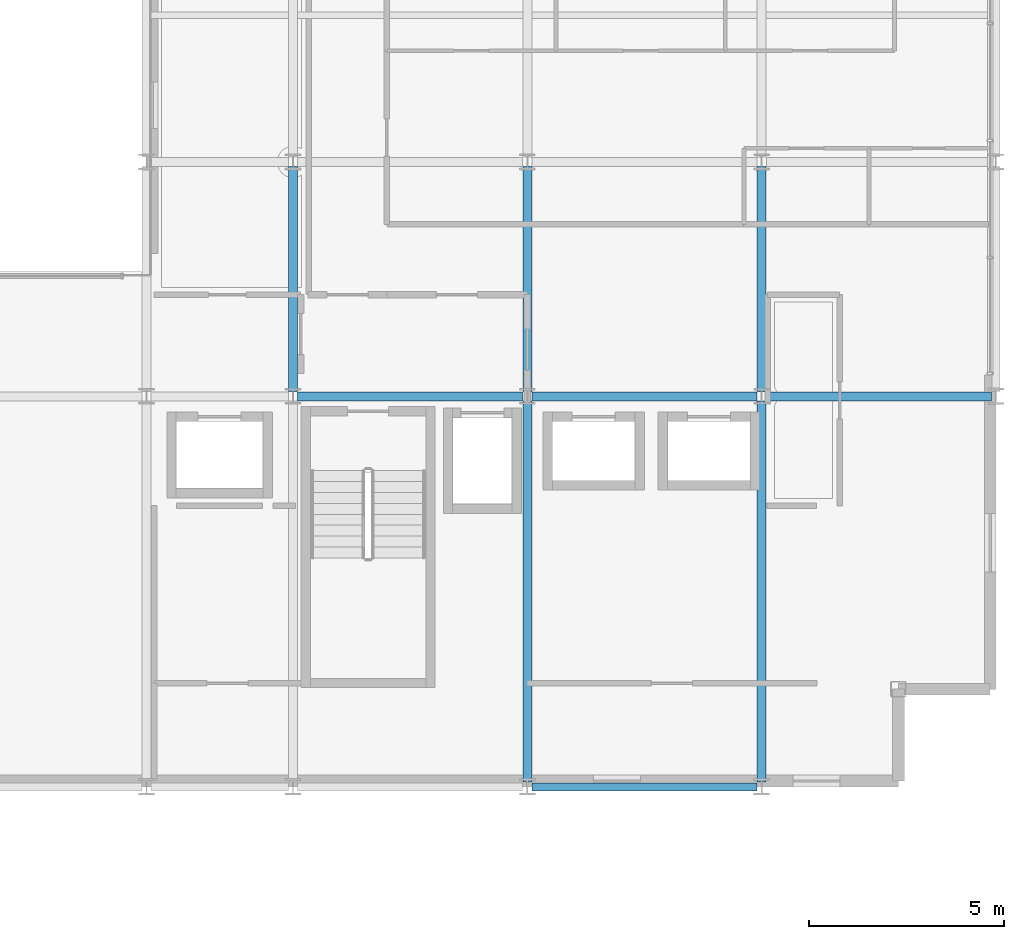
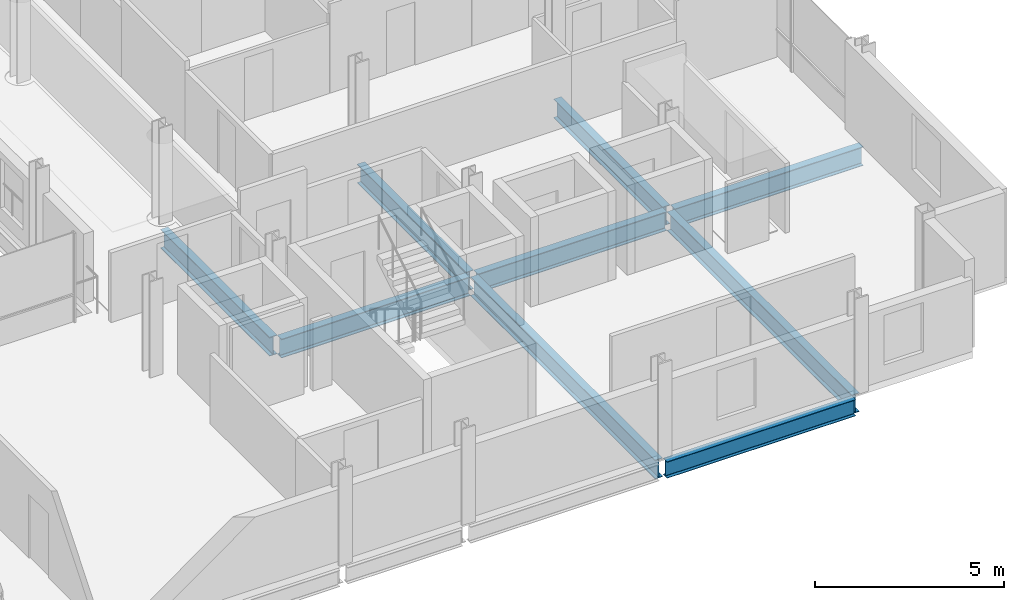
# One storey, part 16 of 41: 9 beams.
"""IFC4 building model written with IfcOpenShell, lengths in metres."""

import ifcopenshell
import ifcopenshell.guid

model = None  # the IFC model being written
_history = None  # IfcOwnerHistory: only IFC2X3 demands one
_inside = {}  # id of a spatial element -> (the spatial element, [elements in it])
_under = {}  # id of a project, library or spatial element -> (it, [spatial elements below it])
_declared = {}  # id of a project -> (the project, [libraries it declares])
_typed = {}  # id of a type object -> (the type object, [elements of that type])
_made_of = {}  # id of a material, layer set ... -> (it, [elements and type objects made of it])


def new_model(schema):
    """Start an empty IFC model of exactly this schema.

    Asked for "IFC4X3", IfcOpenShell would pick the latest addendum, in which some entities
    have other attributes; the version numbers below select the first issue.
    IFC2X3 requires an IfcOwnerHistory on every rooted entity: one is made here for all.
    """
    global model, _history
    if schema == "IFC4X3":
        model = ifcopenshell.file(schema_version=(4, 3, 0, 0))
    else:
        model = ifcopenshell.file(schema=schema)
    _inside.clear()
    _under.clear()
    _declared.clear()
    _typed.clear()
    _made_of.clear()
    _history = None
    if model.schema == "IFC2X3":
        org = make("IfcOrganization", Name="unknown")
        user = make(
            "IfcPersonAndOrganization",
            ThePerson=make("IfcPerson", FamilyName="unknown"),
            TheOrganization=org,
        )
        app = make(
            "IfcApplication",
            ApplicationDeveloper=org,
            Version="unknown",
            ApplicationFullName="unknown",
            ApplicationIdentifier="unknown",
        )
        _history = make(
            "IfcOwnerHistory",
            OwningUser=user,
            OwningApplication=app,
            ChangeAction="ADDED",
            CreationDate=0,
        )
    return model


def make(cls, **values):
    """One entity of the class cls with the attributes given. An attribute that is None is left unset."""
    return model.create_entity(
        cls, **{name: value for name, value in values.items() if value is not None}
    )


def rooted(cls, **values):
    """An entity with a GlobalId (a new one), such as an element, a storey or a relation."""
    return make(cls, GlobalId=ifcopenshell.guid.new(), OwnerHistory=_history, **values)


def si_unit(unit_type, name, prefix=None):
    """IfcSIUnit, for example si_unit("LENGTHUNIT", "METRE", prefix="MILLI")."""
    return make("IfcSIUnit", UnitType=unit_type, Prefix=prefix, Name=name)


def assignment(units):
    """IfcUnitAssignment: the units of a project."""
    return None if units is None else make("IfcUnitAssignment", Units=units)


def point(xyz):
    """IfcCartesianPoint."""
    return None if xyz is None else make("IfcCartesianPoint", Coordinates=xyz)


def direction(xyz):
    """IfcDirection."""
    return None if xyz is None else make("IfcDirection", DirectionRatios=xyz)


def frame(location, z_axis=None, x_axis=None):
    """IfcAxis2Placement3D, a coordinate frame: its origin and axes. An axis left out is left unset."""
    return make(
        "IfcAxis2Placement3D",
        Location=point(location),
        Axis=direction(z_axis),
        RefDirection=direction(x_axis),
    )


def frame_2d(location, x_axis=None):
    """IfcAxis2Placement2D, a coordinate frame in the plane: its origin and x axis."""
    return make(
        "IfcAxis2Placement2D", Location=point(location), RefDirection=direction(x_axis)
    )


def origin():
    """The frame at (0, 0, 0) with its axes left unset."""
    return frame((0.0, 0.0, 0.0))


def origin_2d():
    """The frame at (0, 0) in the plane with its x axis left unset."""
    return frame_2d((0.0, 0.0))


def place(relative_to, where):
    """IfcLocalPlacement: puts the frame where relative to a parent placement (None: the world)."""
    return make(
        "IfcLocalPlacement", PlacementRelTo=relative_to, RelativePlacement=where
    )


def context(
    kind, dimensions, precision=None, world=None, true_north=None, identifier=None
):
    """IfcGeometricRepresentationContext, for example the 3D "Model" context."""
    return make(
        "IfcGeometricRepresentationContext",
        ContextIdentifier=identifier,
        ContextType=kind,
        CoordinateSpaceDimension=dimensions,
        Precision=precision,
        WorldCoordinateSystem=world,
        TrueNorth=true_north,
    )


def subcontext(parent, identifier, kind, view, scale=None):
    """IfcGeometricRepresentationSubContext, for example "Body" below "Model"."""
    return make(
        "IfcGeometricRepresentationSubContext",
        ContextIdentifier=identifier,
        ContextType=kind,
        ParentContext=parent,
        TargetScale=scale,
        TargetView=view,
    )


def project(units=None, contexts=None):
    """IfcProject with its units and contexts."""
    return rooted(
        "IfcProject",
        Name="project",
        RepresentationContexts=contexts,
        UnitsInContext=assignment(units),
    )


def spatial(cls, under=None, at=None, **own):
    """A site, building, storey or space (cls), placed at a placement, below another one or the project."""
    s = rooted(cls, ObjectPlacement=at, **own)
    if under is not None:
        _under.setdefault(under.id(), (under, []))[1].append(s)
    return s


def profile(cls, at=None, kind="AREA", **sizes):
    """A parametric profile (cls). Its sizes go by their IFC names, for example OverallWidth=200.0."""
    return make(cls, ProfileType=kind, Position=at, **sizes)


def i_section(**sizes):
    """IfcIShapeProfileDef."""
    return profile("IfcIShapeProfileDef", **sizes)


def extrude(swept, where, along, depth):
    """IfcExtrudedAreaSolid: the profile swept, set in the frame where, extruded along a direction by depth."""
    return make(
        "IfcExtrudedAreaSolid",
        SweptArea=swept,
        Position=where,
        ExtrudedDirection=direction(along),
        Depth=depth,
    )


def shape(context_of_items, identifier, shape_type, items):
    """IfcShapeRepresentation: the items that make up one representation, for example the "Body"."""
    return make(
        "IfcShapeRepresentation",
        ContextOfItems=context_of_items,
        RepresentationIdentifier=identifier,
        RepresentationType=shape_type,
        Items=items,
    )


def material(Name=None, Category=None):
    """IfcMaterial."""
    return make("IfcMaterial", Name=Name, Category=Category)


def material_profile(
    of_material, cross_section, Name=None, Category=None, Priority=None
):
    """IfcMaterialProfile: a cross section and its material."""
    return make(
        "IfcMaterialProfile",
        Name=Name,
        Material=of_material,
        Profile=cross_section,
        Priority=Priority,
        Category=Category,
    )


def profile_set(profiles, Name=None, composite=None):
    """IfcMaterialProfileSet."""
    return make(
        "IfcMaterialProfileSet",
        Name=Name,
        MaterialProfiles=profiles,
        CompositeProfile=composite,
    )


def made_of(thing, what):
    """Note that an element or type object is made of a material, layer set ...; save() writes the relation."""
    if what is not None:
        _made_of.setdefault(what.id(), (what, []))[1].append(thing)
    return thing


def type_object(cls, material=None, **own):
    """A type object (cls), such as IfcWallType, which elements share."""
    return made_of(rooted(cls, **own), material)


def element(
    cls,
    number,
    at=None,
    inside=None,
    cuts=None,
    type_object=None,
    material=None,
    context=None,
    identifier="Body",
    shape_type=None,
    held_by="IfcProductDefinitionShape",
    body=None,
    shapes=None,
    **own,
):
    """One element of the class cls, such as IfcWall. Its Tag is "e" and its number.

    at: its placement. inside: the storey or other place that contains it. cuts: it is an
    opening in that element (IfcRelVoidsElement). A single representation is given by context,
    identifier, shape_type and body (its items); several are given by shapes. held_by: the class
    of the entity that holds the representations. save() writes the other relations.
    """
    e = rooted(cls, Tag="e%d" % number, ObjectPlacement=at, **own)
    if body is not None:
        shapes = [shape(context, identifier, shape_type, body)]
    if shapes is not None:
        e.Representation = make(held_by, Representations=shapes)
    if inside is not None:
        _inside.setdefault(inside.id(), (inside, []))[1].append(e)
    if cuts is not None:
        rooted(
            "IfcRelVoidsElement", RelatingBuildingElement=cuts, RelatedOpeningElement=e
        )
    if type_object is not None:
        _typed.setdefault(type_object.id(), (type_object, []))[1].append(e)
    return made_of(e, material)


def aggregate(whole, parts):
    """IfcRelAggregates: a whole, such as a stair, and the parts it consists of."""
    return rooted("IfcRelAggregates", RelatingObject=whole, RelatedObjects=parts)


def save(model, path):
    """Write the relations noted so far, then the file.

    IfcRelAggregates (storeys below a building ...), IfcRelContainedInSpatialStructure (elements
    in a storey), IfcRelDefinesByType, IfcRelAssociatesMaterial and IfcRelDeclares: one each for
    every whole, place, type object, material and project.
    """
    for whole, parts in _under.values():
        aggregate(whole, parts)
    for where, things in _inside.values():
        rooted(
            "IfcRelContainedInSpatialStructure",
            RelatedElements=things,
            RelatingStructure=where,
        )
    for kind, things in _typed.values():
        rooted("IfcRelDefinesByType", RelatedObjects=things, RelatingType=kind)
    for what, things in _made_of.values():
        rooted("IfcRelAssociatesMaterial", RelatedObjects=things, RelatingMaterial=what)
    for by, libraries in _declared.values():
        rooted("IfcRelDeclares", RelatingContext=by, RelatedDefinitions=libraries)
    model.write(path)


model = new_model("IFC4")

# Units and contexts
model_context = context("Model", 3, precision=1e-05, world=origin(), true_north=direction((0.0, 1.0)))
body_context = subcontext(model_context, "Body", "Model", "MODEL_VIEW")
ifc_project = project(units=[si_unit("LENGTHUNIT", "METRE"), si_unit("AREAUNIT", "SQUARE_METRE"), si_unit("VOLUMEUNIT", "CUBIC_METRE"), si_unit("PLANEANGLEUNIT", "RADIAN"), si_unit("MASSUNIT", "GRAM", prefix="KILO")], contexts=[model_context])

# Site, building, storey
site_placement = place(None, origin())
site = spatial("IfcSite", under=ifc_project, at=site_placement, CompositionType="ELEMENT")
building_placement = place(site_placement, origin())
building = spatial("IfcBuilding", under=site, at=building_placement, Name="Brevholm Reach", CompositionType="ELEMENT")
storey_placement = place(building_placement, frame((0.0, 0.0, 163.5)))
storey = spatial("IfcBuildingStorey", under=building, at=storey_placement, Name="L49", CompositionType="ELEMENT", Elevation=163.5)

# Beams
ifc_material_1 = material(Name="Structural Steel S355J2", Category="steel")
ifc_material_profile_1 = material_profile(ifc_material_1, i_section(OverallWidth=0.209228515625, OverallDepth=0.533203125, WebThickness=0.010009765625, FlangeThickness=0.015625, FilletRadius=0.0126953125, at=origin_2d()), Name="UKB 533x210x92")
ifc_profile_set_1 = profile_set([ifc_material_profile_1], Name="Structural Steel S355J2")
beam_type_1 = type_object("IfcBeamType", Name="BM-SP533", PredefinedType="SPANDREL", material=ifc_profile_set_1)
beam_1_placement = place(storey_placement, frame((48.1201171875, 0.0, -0.486572265625), z_axis=(1.0, 0.0, 0.0), x_axis=(0.0, 1.0, 0.0)))
element("IfcBeam", 1, at=beam_1_placement, inside=storey, type_object=beam_type_1, Name="L49 SP-02 Framing Beam", PredefinedType="SPANDREL", context=body_context, shape_type="SweptSolid", body=[
    extrude(i_section(OverallWidth=0.209228515625, OverallDepth=0.533203125, WebThickness=0.010009765625, FlangeThickness=0.015625, FilletRadius=0.0126953125, at=origin_2d()), origin(), (0.0, 0.0, 1.0), 5.759765625),
])
ifc_material_2 = material(Name="Structural Steel S355J2", Category="steel")
ifc_material_profile_2 = material_profile(ifc_material_2, i_section(OverallWidth=0.22900390625, OverallDepth=0.6123046875, WebThickness=0.011962890625, FlangeThickness=0.01953125, FilletRadius=0.0126953125, at=origin_2d()), Name="UKB 610x229x125")
ifc_profile_set_2 = profile_set([ifc_material_profile_2], Name="Structural Steel S355J2")
beam_type_2 = type_object("IfcBeamType", Name="BM-SP610", PredefinedType="SPANDREL", material=ifc_profile_set_2)
for number, where, z_axis, x_axis, name in (
    (2, (42.1201171875, 10.0, -0.526123046875), (1.0, 0.0, 0.0), (0.0, 1.0, 0.0), "L49 SP-01 Framing Beam"),
    (3, (48.1201171875, 10.0, -0.526123046875), (1.0, 0.0, 0.0), (0.0, 1.0, 0.0), "L49 SP-01 Framing Beam"),
    (4, (54.1201171875, 10.0, -0.526123046875), (1.0, 0.0, 0.0), (0.0, 1.0, 0.0), "L49 SP-01 Framing Beam"),
    (5, (42.0, 10.1201171875, -0.526123046875), (0.0, 1.0, 0.0), (-1.0, 0.0, 0.0), "L49 SP-01 Framing Beam"),
):
    element("IfcBeam", number, at=place(storey_placement, frame(where, z_axis=z_axis, x_axis=x_axis)), inside=storey, type_object=beam_type_2, Name=name, PredefinedType="SPANDREL", context=body_context, shape_type="SweptSolid", body=[
        extrude(i_section(OverallWidth=0.22900390625, OverallDepth=0.6123046875, WebThickness=0.011962890625, FlangeThickness=0.01953125, FilletRadius=0.0126953125, at=origin_2d()), origin(), (0.0, 0.0, 1.0), 5.759765625),
    ])
beam_2_placement = place(storey_placement, frame((48.0, 0.1201171875, -0.526123046875), z_axis=(0.0, 1.0, 0.0), x_axis=(-1.0, 0.0, 0.0)))
element("IfcBeam", 6, at=beam_2_placement, inside=storey, type_object=beam_type_2, Name="L49 SP-01 Framing Beam", PredefinedType="SPANDREL", context=body_context, shape_type="SweptSolid", body=[
    extrude(i_section(OverallWidth=0.22900390625, OverallDepth=0.6123046875, WebThickness=0.011962890625, FlangeThickness=0.01953125, FilletRadius=0.0126953125, at=origin_2d()), origin(), (0.0, 0.0, 1.0), 9.759765625),
])
beam_3_placement = place(storey_placement, frame((48.0, 10.1201171875, -0.526123046875), z_axis=(0.0, 1.0, 0.0), x_axis=(-1.0, 0.0, 0.0)))
element("IfcBeam", 7, at=beam_3_placement, inside=storey, type_object=beam_type_2, Name="L49 SP-01 Framing Beam", PredefinedType="SPANDREL", context=body_context, shape_type="SweptSolid", body=[
    extrude(i_section(OverallWidth=0.22900390625, OverallDepth=0.6123046875, WebThickness=0.011962890625, FlangeThickness=0.01953125, FilletRadius=0.0126953125, at=origin_2d()), origin(), (0.0, 0.0, 1.0), 5.759765625),
])
beam_4_placement = place(storey_placement, frame((54.0, 0.1201171875, -0.526123046875), z_axis=(0.0, 1.0, 0.0), x_axis=(-1.0, 0.0, 0.0)))
element("IfcBeam", 8, at=beam_4_placement, inside=storey, type_object=beam_type_2, Name="L49 SP-01 Framing Beam", PredefinedType="SPANDREL", context=body_context, shape_type="SweptSolid", body=[
    extrude(i_section(OverallWidth=0.22900390625, OverallDepth=0.6123046875, WebThickness=0.011962890625, FlangeThickness=0.01953125, FilletRadius=0.0126953125, at=origin_2d()), origin(), (0.0, 0.0, 1.0), 9.759765625),
])
beam_5_placement = place(storey_placement, frame((54.0, 10.1201171875, -0.526123046875), z_axis=(0.0, 1.0, 0.0), x_axis=(-1.0, 0.0, 0.0)))
element("IfcBeam", 9, at=beam_5_placement, inside=storey, type_object=beam_type_2, Name="L49 SP-01 Framing Beam", PredefinedType="SPANDREL", context=body_context, shape_type="SweptSolid", body=[
    extrude(i_section(OverallWidth=0.22900390625, OverallDepth=0.6123046875, WebThickness=0.011962890625, FlangeThickness=0.01953125, FilletRadius=0.0126953125, at=origin_2d()), origin(), (0.0, 0.0, 1.0), 5.759765625),
])

save(model, "model.ifc")
